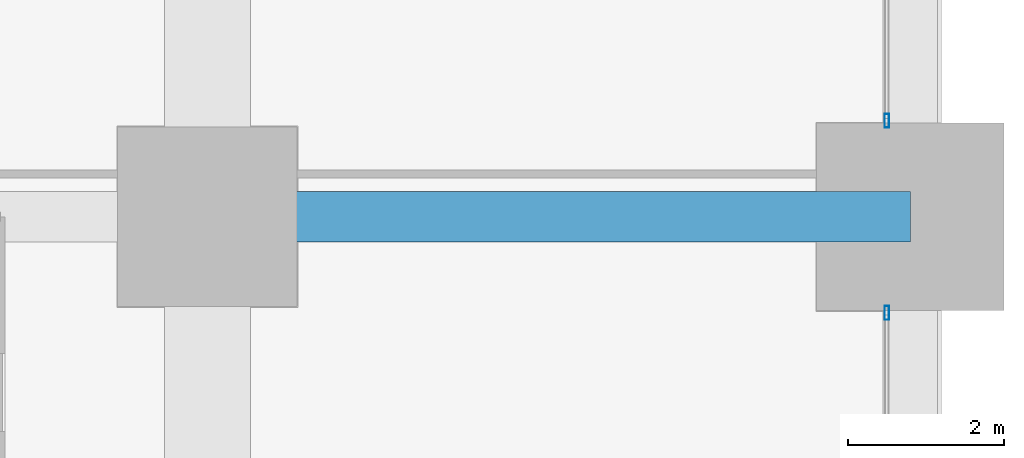
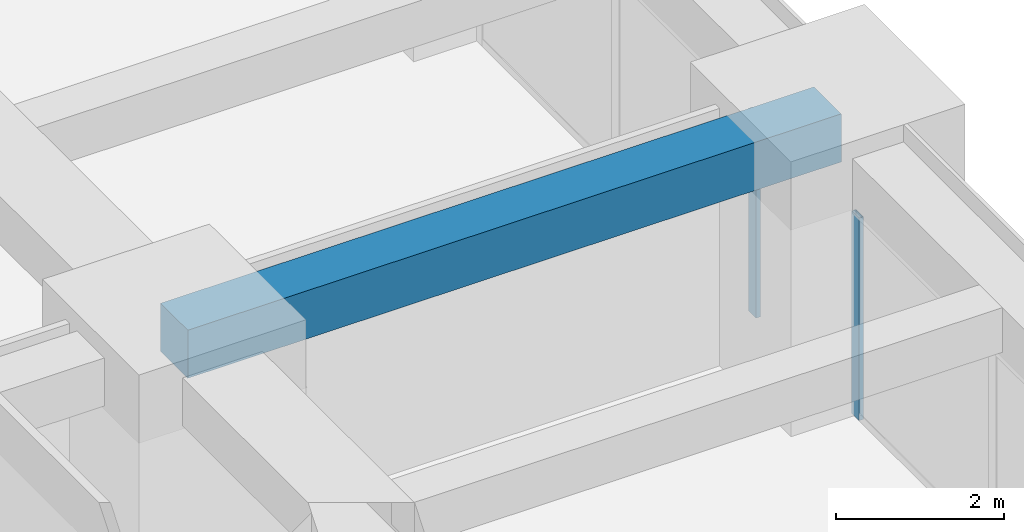
# One storey, part 32 of 44: 2 members, 1 beam, 2 elements without a shape of their own.
"""IFC4 building model written with IfcOpenShell, lengths in metres."""

from ifc_helpers import new_model, si_unit, direction, frame, origin, origin_2d, place, context, subcontext, project, spatial, rectangle, hollow_rectangle, extrude, material, material_profile, profile_set, type_object, element, aggregate, save


model = new_model("IFC4")

# Units and contexts
model_context = context("Model", 3, precision=1e-05, world=origin(), true_north=direction((0.0, 1.0)))
body_context = subcontext(model_context, "Body", "Model", "MODEL_VIEW")
ifc_project = project(units=[si_unit("LENGTHUNIT", "METRE"), si_unit("AREAUNIT", "SQUARE_METRE"), si_unit("VOLUMEUNIT", "CUBIC_METRE"), si_unit("PLANEANGLEUNIT", "RADIAN"), si_unit("MASSUNIT", "GRAM", prefix="KILO")], contexts=[model_context])

# Site, building, storey
site_placement = place(None, origin())
site = spatial("IfcSite", under=ifc_project, at=site_placement, CompositionType="ELEMENT")
building_placement = place(site_placement, origin())
building = spatial("IfcBuilding", under=site, at=building_placement, Name="Zorevar Civic Tower", CompositionType="ELEMENT")
storey_placement = place(building_placement, frame((0.0, 0.0, 43.800048828125)))
storey = spatial("IfcBuildingStorey", under=building, at=storey_placement, Name="L10", CompositionType="ELEMENT", Elevation=43.800048828125)

# Beam
ifc_material_1 = material(Name="Concrete C50/60", Category="concrete")
ifc_material_profile_1 = material_profile(ifc_material_1, rectangle(XDim=0.64990234375, YDim=0.699951171875, at=origin_2d()), Name="RC 650x700")
ifc_profile_set_1 = profile_set([ifc_material_profile_1], Name="Concrete C50/60")
beam_type = type_object("IfcBeamType", Name="Beam RC 650x700", PredefinedType="BEAM", material=ifc_profile_set_1)
beam_placement = place(storey_placement, frame((54.0, 36.0, 3.39990234375), z_axis=(1.0, 0.0, 0.0), x_axis=(0.0, 1.0, 0.0)))
element("IfcBeam", 1, at=beam_placement, inside=storey, type_object=beam_type, Name="Girder L11", PredefinedType="BEAM", context=body_context, shape_type="SweptSolid", body=[
    extrude(rectangle(XDim=0.64990234375, YDim=0.699951171875, at=origin_2d()), origin(), (0.0, 0.0, 1.0), 9.0),
])

# Curtain wall, member
ifc_material_2 = material(Name="Dark grey solar-control glass in black aluminium frame", Category="aluminium")
curtain_wall_type = type_object("IfcCurtainWallType", Name="Curtain wall CW2 low zone", PredefinedType="NOTDEFINED", material=ifc_material_2)
curtain_wall_1_placement = place(storey_placement, origin())
curtain_wall_1 = element("IfcCurtainWall", 2, at=curtain_wall_1_placement, inside=storey, type_object=curtain_wall_type, Name="CW2 L10", PredefinedType="NOTDEFINED")
ifc_material_3 = material(Name="Aluminium, black anodised", Category="aluminium")
ifc_material_profile_2 = material_profile(ifc_material_3, hollow_rectangle(XDim=0.06005859375, YDim=0.179931640625, WallThickness=0.00390625, at=origin_2d()), Name="AL 180x60x4")
ifc_profile_set_2 = profile_set([ifc_material_profile_2], Name="Aluminium, black anodised")
member_type = type_object("IfcMemberType", Name="CW2 mullion AL 180x60x4", PredefinedType="MULLION", material=ifc_profile_set_2)
member_1_placement = place(storey_placement, frame((62.699951171875, 34.77001953125, 0.0), z_axis=(0.0, 0.0, 1.0), x_axis=(-1.0, 0.0, 0.0)))
member_1 = element("IfcMember", 3, at=member_1_placement, type_object=member_type, Name="CW2 mullion 3", PredefinedType="MULLION", context=body_context, shape_type="SweptSolid", body=[
    extrude(hollow_rectangle(XDim=0.06005859375, YDim=0.179931640625, WallThickness=0.00390625, at=origin_2d()), origin(), (0.0, 0.0, 1.0), 2.949951171875),
])
aggregate(curtain_wall_1, [member_1])

curtain_wall_2_placement = place(storey_placement, origin())
curtain_wall_2 = element("IfcCurtainWall", 4, at=curtain_wall_2_placement, inside=storey, type_object=curtain_wall_type, Name="CW2 L10", PredefinedType="NOTDEFINED")
member_2_placement = place(storey_placement, frame((62.699951171875, 37.22998046875, 0.0), z_axis=(0.0, 0.0, 1.0), x_axis=(-1.0, 0.0, 0.0)))
member_2 = element("IfcMember", 5, at=member_2_placement, type_object=member_type, Name="CW2 mullion 1", PredefinedType="MULLION", context=body_context, shape_type="SweptSolid", body=[
    extrude(hollow_rectangle(XDim=0.06005859375, YDim=0.179931640625, WallThickness=0.00390625, at=origin_2d()), origin(), (0.0, 0.0, 1.0), 2.949951171875),
])
aggregate(curtain_wall_2, [member_2])

save(model, "model.ifc")
